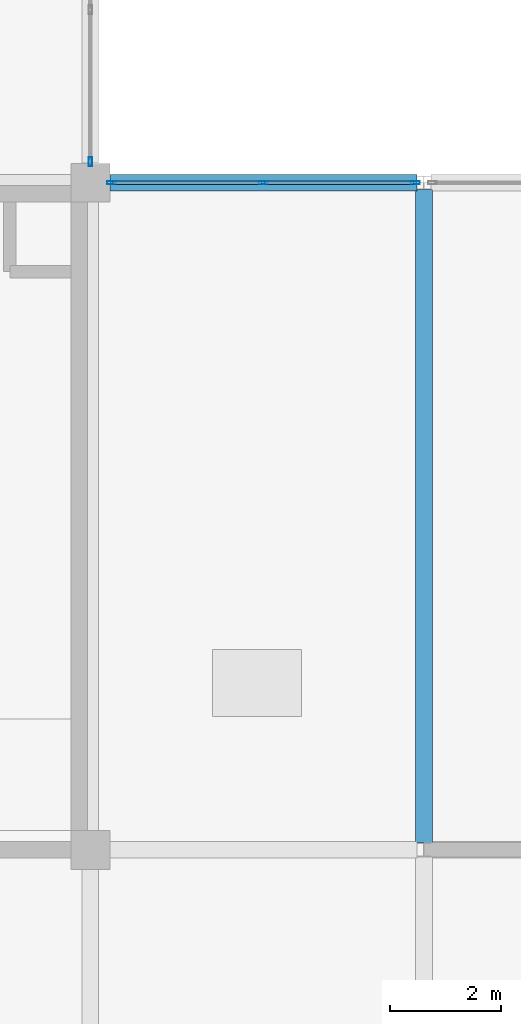
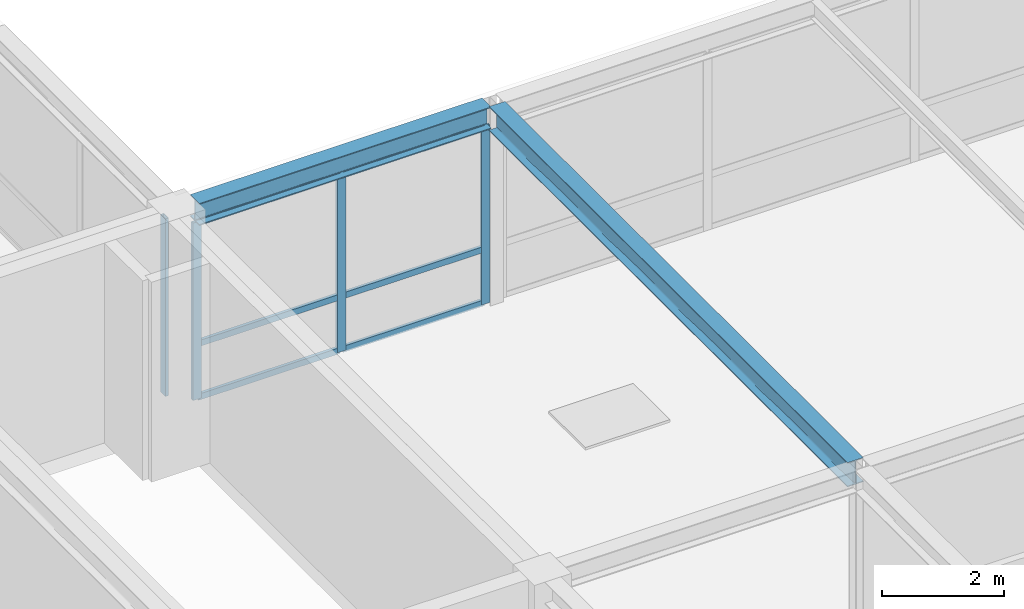
# One storey, part 29 of 111: 10 members, 2 beams, 2 elements without a shape of their own.
"""IFC4 building model written with IfcOpenShell, lengths in metres."""

from ifc_helpers import new_model, si_unit, direction, frame, origin, origin_2d, place, context, subcontext, project, spatial, hollow_rectangle, i_section, extrude, material, layer, layer_set, material_profile, profile_set, type_object, element, aggregate, save


model = new_model("IFC4")

# Units and contexts
model_context = context("Model", 3, precision=1e-05, world=origin(), true_north=direction((0.0, 1.0)))
body_context = subcontext(model_context, "Body", "Model", "MODEL_VIEW")
ifc_project = project(units=[si_unit("LENGTHUNIT", "METRE"), si_unit("AREAUNIT", "SQUARE_METRE"), si_unit("VOLUMEUNIT", "CUBIC_METRE"), si_unit("PLANEANGLEUNIT", "RADIAN"), si_unit("MASSUNIT", "GRAM", prefix="KILO")], contexts=[model_context])

# Site, building, storey
site_placement = place(None, origin())
site = spatial("IfcSite", under=ifc_project, at=site_placement, CompositionType="ELEMENT")
building_placement = place(site_placement, origin())
building = spatial("IfcBuilding", under=site, at=building_placement, Name="Zlatovratsky Civic Hall", CompositionType="ELEMENT")
storey_placement = place(building_placement, frame((0.0, 0.0, 16.5)))
storey = spatial("IfcBuildingStorey", under=building, at=storey_placement, Name="L04", CompositionType="ELEMENT", Elevation=16.5)

# Beams
ifc_material_1 = material(Name="Steel S355", Category="steel")
ifc_material_profile_1 = material_profile(ifc_material_1, i_section(OverallWidth=0.300048828125, OverallDepth=0.487060546875, WebThickness=0.014404296875, FlangeThickness=0.017578125, FilletRadius=0.02392578125, at=origin_2d()), Name="50Sh2")
ifc_profile_set_1 = profile_set([ifc_material_profile_1], Name="Steel S355")
beam_type_1 = type_object("IfcBeamType", Name="Beam_ArchiveGirder_50Sh2", PredefinedType="BEAM", material=ifc_profile_set_1)
beam_1_placement = place(storey_placement, frame((24.0, 18.125, 3.756591796875), z_axis=(0.0, 1.0, 0.0), x_axis=(-1.0, 0.0, 0.0)))
element("IfcBeam", 1, at=beam_1_placement, inside=storey, type_object=beam_type_1, Name="BM-3565", PredefinedType="BEAM", context=body_context, shape_type="SweptSolid", body=[
    extrude(i_section(OverallWidth=0.300048828125, OverallDepth=0.487060546875, WebThickness=0.014404296875, FlangeThickness=0.017578125, FilletRadius=0.02392578125, at=origin_2d()), origin(), (0.0, 0.0, 1.0), 11.75),
])
ifc_material_profile_2 = material_profile(ifc_material_1, i_section(OverallWidth=0.300048828125, OverallDepth=0.43994140625, WebThickness=0.010986328125, FlangeThickness=0.01806640625, FilletRadius=0.02197265625, at=origin_2d()), Name="45Sh1")
ifc_profile_set_2 = profile_set([ifc_material_profile_2], Name="Steel S355")
beam_type_2 = type_object("IfcBeamType", Name="Beam_TowerLow_45Sh1", PredefinedType="BEAM", material=ifc_profile_set_2)
beam_2_placement = place(storey_placement, frame((18.35009765625, 30.0, 3.780029296875), z_axis=(1.0, 0.0, 0.0), x_axis=(0.0, 1.0, 0.0)))
element("IfcBeam", 2, at=beam_2_placement, inside=storey, type_object=beam_type_2, Name="BM-3258", PredefinedType="BEAM", context=body_context, shape_type="SweptSolid", body=[
    extrude(i_section(OverallWidth=0.300048828125, OverallDepth=0.43994140625, WebThickness=0.010986328125, FlangeThickness=0.01806640625, FilletRadius=0.02197265625, at=origin_2d()), origin(), (0.0, 0.0, 1.0), 5.52490234375),
])

# Curtain wall, members
ifc_material_2 = material(Name="Anodised bronze aluminium", Category="aluminium")
ifc_layer = layer(ifc_material_2, 0.159912109375)
ifc_layer_set = layer_set([ifc_layer], Name="Anodised bronze aluminium")
curtain_wall_type = type_object("IfcCurtainWallType", Name="CurtainWall_Bronze_5520x3550_16", PredefinedType="NOTDEFINED", material=ifc_layer_set)
curtain_wall_1_placement = place(storey_placement, origin())
curtain_wall_1 = element("IfcCurtainWall", 3, at=curtain_wall_1_placement, inside=storey, type_object=curtain_wall_type, Name="CW-093", PredefinedType="NOTDEFINED")
ifc_material_profile_3 = material_profile(ifc_material_2, hollow_rectangle(XDim=0.06005859375, YDim=0.159912109375, WallThickness=0.00390625, at=origin_2d()), Name="ALU 60x160x4")
ifc_profile_set_3 = profile_set([ifc_material_profile_3], Name="Anodised bronze aluminium")
member_type_1 = type_object("IfcMemberType", Name="CW_Mullion_60x160", PredefinedType="MULLION", material=ifc_profile_set_3)
member_1_placement = place(storey_placement, frame((18.3798828125, 30.0, 0.0), z_axis=(0.0, 0.0, 1.0), x_axis=(0.0, 1.0, 0.0)))
member_1 = element("IfcMember", 4, at=member_1_placement, type_object=member_type_1, Name="CW-16 mullion 1", PredefinedType="MULLION", context=body_context, shape_type="SweptSolid", body=[
    extrude(hollow_rectangle(XDim=0.06005859375, YDim=0.159912109375, WallThickness=0.00390625, at=origin_2d()), origin(), (0.0, 0.0, 1.0), 3.550048828125),
])
member_2_placement = place(storey_placement, frame((21.112548828125, 30.0, 0.0), z_axis=(0.0, 0.0, 1.0), x_axis=(0.0, 1.0, 0.0)))
member_2 = element("IfcMember", 5, at=member_2_placement, type_object=member_type_1, Name="CW-16 mullion 2", PredefinedType="MULLION", context=body_context, shape_type="SweptSolid", body=[
    extrude(hollow_rectangle(XDim=0.06005859375, YDim=0.159912109375, WallThickness=0.00390625, at=origin_2d()), origin(), (0.0, 0.0, 1.0), 3.550048828125),
])
member_3_placement = place(storey_placement, frame((23.844970703125, 30.0, 0.0), z_axis=(0.0, 0.0, 1.0), x_axis=(0.0, 1.0, 0.0)))
member_3 = element("IfcMember", 6, at=member_3_placement, type_object=member_type_1, Name="CW-16 mullion 3", PredefinedType="MULLION", context=body_context, shape_type="SweptSolid", body=[
    extrude(hollow_rectangle(XDim=0.06005859375, YDim=0.159912109375, WallThickness=0.00390625, at=origin_2d()), origin(), (0.0, 0.0, 1.0), 3.550048828125),
])

# Curtain wall, member
curtain_wall_2_placement = place(storey_placement, origin())
curtain_wall_2 = element("IfcCurtainWall", 7, at=curtain_wall_2_placement, inside=storey, type_object=curtain_wall_type, Name="CW-099", PredefinedType="NOTDEFINED")
member_4_placement = place(storey_placement, frame((18.0, 30.3798828125, 0.0), z_axis=(0.0, 0.0, 1.0), x_axis=(-1.0, 0.0, 0.0)))
member_4 = element("IfcMember", 8, at=member_4_placement, type_object=member_type_1, Name="CW-16 mullion 1", PredefinedType="MULLION", context=body_context, shape_type="SweptSolid", body=[
    extrude(hollow_rectangle(XDim=0.06005859375, YDim=0.159912109375, WallThickness=0.00390625, at=origin_2d()), origin(), (0.0, 0.0, 1.0), 3.550048828125),
])
aggregate(curtain_wall_2, [member_4])

# Member
ifc_material_profile_4 = material_profile(ifc_material_2, hollow_rectangle(XDim=0.06005859375, YDim=0.1201171875, WallThickness=0.00390625, at=origin_2d()), Name="ALU 60x120x4")
ifc_profile_set_4 = profile_set([ifc_material_profile_4], Name="Anodised bronze aluminium")
member_type_2 = type_object("IfcMemberType", Name="CW_Transom_60x120", PredefinedType="USERDEFINED", material=ifc_profile_set_4)
member_5_placement = place(storey_placement, frame((18.409912109375, 30.0, 0.030029296875), z_axis=(1.0, 0.0, 0.0), x_axis=(0.0, 1.0, 0.0)))
member_5 = element("IfcMember", 9, at=member_5_placement, type_object=member_type_2, Name="CW-16 transom 1.1", ObjectType="TRANSOM", PredefinedType="USERDEFINED", context=body_context, shape_type="SweptSolid", body=[
    extrude(hollow_rectangle(XDim=0.06005859375, YDim=0.1201171875, WallThickness=0.00390625, at=origin_2d()), origin(), (0.0, 0.0, 1.0), 2.672607421875),
])

member_6_placement = place(storey_placement, frame((18.409912109375, 30.0, 1.10009765625), z_axis=(1.0, 0.0, 0.0), x_axis=(0.0, 1.0, 0.0)))
member_6 = element("IfcMember", 10, at=member_6_placement, type_object=member_type_2, Name="CW-16 transom 1.2", ObjectType="TRANSOM", PredefinedType="USERDEFINED", context=body_context, shape_type="SweptSolid", body=[
    extrude(hollow_rectangle(XDim=0.06005859375, YDim=0.1201171875, WallThickness=0.00390625, at=origin_2d()), origin(), (0.0, 0.0, 1.0), 2.672607421875),
])

member_7_placement = place(storey_placement, frame((18.409912109375, 30.0, 3.52001953125), z_axis=(1.0, 0.0, 0.0), x_axis=(0.0, 1.0, 0.0)))
member_7 = element("IfcMember", 11, at=member_7_placement, type_object=member_type_2, Name="CW-16 transom 1.3", ObjectType="TRANSOM", PredefinedType="USERDEFINED", context=body_context, shape_type="SweptSolid", body=[
    extrude(hollow_rectangle(XDim=0.06005859375, YDim=0.1201171875, WallThickness=0.00390625, at=origin_2d()), origin(), (0.0, 0.0, 1.0), 2.672607421875),
])

member_8_placement = place(storey_placement, frame((21.142578125, 30.0, 0.030029296875), z_axis=(1.0, 0.0, 0.0), x_axis=(0.0, 1.0, 0.0)))
member_8 = element("IfcMember", 12, at=member_8_placement, type_object=member_type_2, Name="CW-16 transom 2.1", ObjectType="TRANSOM", PredefinedType="USERDEFINED", context=body_context, shape_type="SweptSolid", body=[
    extrude(hollow_rectangle(XDim=0.06005859375, YDim=0.1201171875, WallThickness=0.00390625, at=origin_2d()), origin(), (0.0, 0.0, 1.0), 2.67236328125),
])

member_9_placement = place(storey_placement, frame((21.142578125, 30.0, 1.10009765625), z_axis=(1.0, 0.0, 0.0), x_axis=(0.0, 1.0, 0.0)))
member_9 = element("IfcMember", 13, at=member_9_placement, type_object=member_type_2, Name="CW-16 transom 2.2", ObjectType="TRANSOM", PredefinedType="USERDEFINED", context=body_context, shape_type="SweptSolid", body=[
    extrude(hollow_rectangle(XDim=0.06005859375, YDim=0.1201171875, WallThickness=0.00390625, at=origin_2d()), origin(), (0.0, 0.0, 1.0), 2.67236328125),
])

member_10_placement = place(storey_placement, frame((21.142578125, 30.0, 3.52001953125), z_axis=(1.0, 0.0, 0.0), x_axis=(0.0, 1.0, 0.0)))
member_10 = element("IfcMember", 14, at=member_10_placement, type_object=member_type_2, Name="CW-16 transom 2.3", ObjectType="TRANSOM", PredefinedType="USERDEFINED", context=body_context, shape_type="SweptSolid", body=[
    extrude(hollow_rectangle(XDim=0.06005859375, YDim=0.1201171875, WallThickness=0.00390625, at=origin_2d()), origin(), (0.0, 0.0, 1.0), 2.67236328125),
])

aggregate(curtain_wall_1, [member_1, member_2, member_3, member_5, member_6, member_7, member_8, member_9, member_10])

save(model, "model.ifc")
